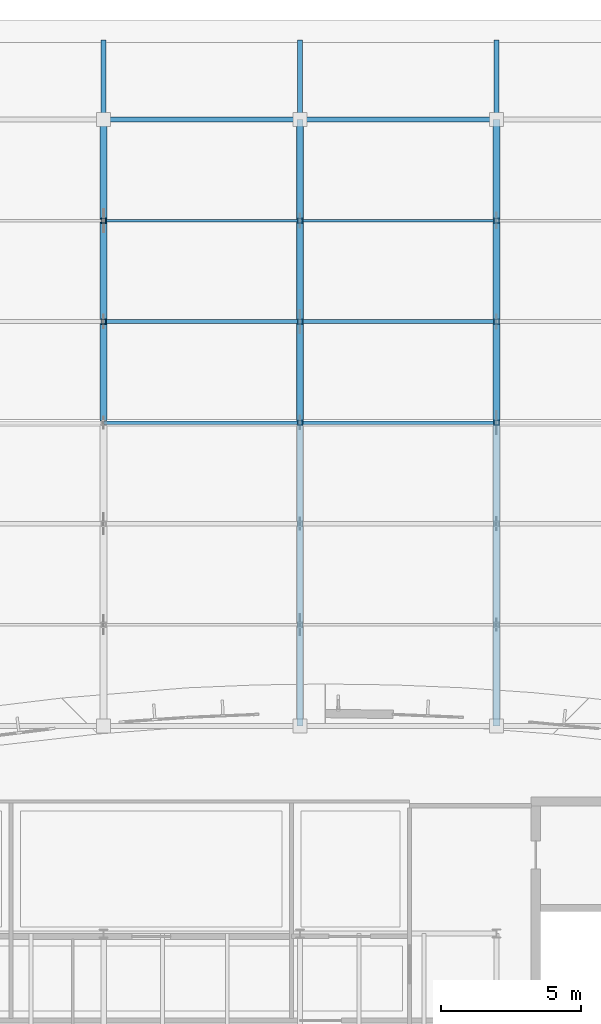
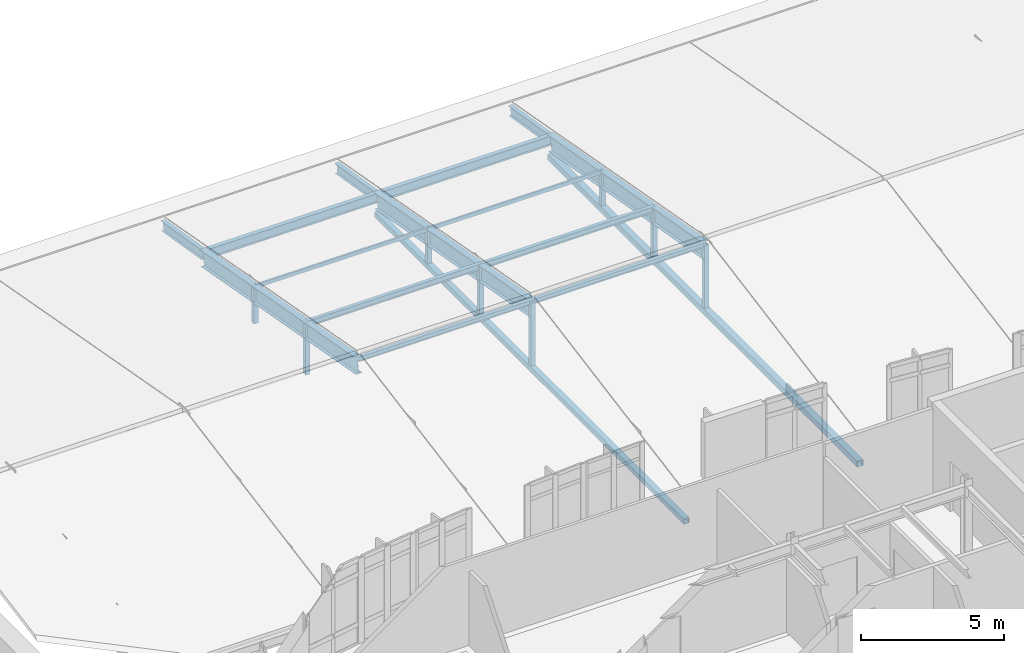
# One storey, part 38 of 105: 16 members, 8 beams.
"""IFC4 building model written with IfcOpenShell, lengths in metres."""

from ifc_helpers import new_model, si_unit, direction, frame, origin, origin_2d, place, context, subcontext, project, spatial, hollow_rectangle, i_section, extrude, material, material_profile, profile_set, type_object, element, save


model = new_model("IFC4")

# Units and contexts
model_context = context("Model", 3, precision=1e-05, world=origin(), true_north=direction((0.0, 1.0)))
body_context = subcontext(model_context, "Body", "Model", "MODEL_VIEW")
ifc_project = project(units=[si_unit("LENGTHUNIT", "METRE"), si_unit("AREAUNIT", "SQUARE_METRE"), si_unit("VOLUMEUNIT", "CUBIC_METRE"), si_unit("PLANEANGLEUNIT", "RADIAN"), si_unit("MASSUNIT", "GRAM", prefix="KILO")], contexts=[model_context])

# Site, building, storey
site_placement = place(None, origin())
site = spatial("IfcSite", under=ifc_project, at=site_placement, CompositionType="ELEMENT")
building_placement = place(site_placement, origin())
building = spatial("IfcBuilding", under=site, at=building_placement, Name="Corveleigh Park Community Centre", CompositionType="ELEMENT")
storey_placement = place(building_placement, frame((0.0, 0.0, 8.699951171875)))
storey = spatial("IfcBuildingStorey", under=building, at=storey_placement, Name="L02", CompositionType="ELEMENT", Elevation=8.699951171875)

# Beams
ifc_material = material(Name="Steel S355", Category="steel")
ifc_material_profile_1 = material_profile(ifc_material, i_section(OverallWidth=0.177978515625, OverallDepth=0.406494140625, WebThickness=0.0078125, FlangeThickness=0.0126953125, at=origin_2d()), Name="UKB 406x178x60", Category="steel")
ifc_profile_set_1 = profile_set([ifc_material_profile_1], Name="Steel S355")
beam_type_1 = type_object("IfcBeamType", Name="BM-STL-UKB406x60", PredefinedType="BEAM", material=ifc_profile_set_1)
for number, where, z_axis, x_axis, name in (
    (1, (25.205078125, 114.39990234375, 0.716796875), (1.0, 0.0, 0.0), (0.0, 1.0, 0.0), "V2 Eave Tie Beam"),
    (2, (32.205078125, 114.39990234375, 0.716796875), (1.0, 0.0, 0.0), (0.0, 1.0, 0.0), "V2 Eave Tie Beam"),
):
    element("IfcBeam", number, at=place(storey_placement, frame(where, z_axis=z_axis, x_axis=x_axis)), inside=storey, type_object=beam_type_1, Name=name, PredefinedType="BEAM", context=body_context, shape_type="SweptSolid", body=[
        extrude(i_section(OverallWidth=0.177978515625, OverallDepth=0.406494140625, WebThickness=0.0078125, FlangeThickness=0.0126953125, at=origin_2d()), origin(), (0.0, 0.0, 1.0), 6.989990234375),
    ])
ifc_material_profile_2 = material_profile(ifc_material, i_section(OverallWidth=0.1787109375, OverallDepth=0.409423828125, WebThickness=0.0087890625, FlangeThickness=0.014404296875, at=origin_2d()), Name="UKB 406x178x67", Category="steel")
ifc_profile_set_2 = profile_set([ifc_material_profile_2], Name="Steel S355")
beam_type_2 = type_object("IfcBeamType", Name="BM-STL-UKB406x67", PredefinedType="BEAM", material=ifc_profile_set_2)
for number, where, z_axis, x_axis, name in (
    (3, (25.199951171875, 114.409912109375, 0.7236328125), (0.0, 0.986431224699, -0.164175025322), (-1.0, 0.0, 0.0), "V2 North Sports Eave Outrigger 3"),
    (4, (32.199951171875, 114.409912109375, 0.7236328125), (0.0, 0.986431224699, -0.164175025322), (-1.0, 0.0, 0.0), "V2 North Sports Eave Outrigger 4"),
    (5, (39.199951171875, 114.409912109375, 0.7236328125), (0.0, 0.986431224699, -0.164175025322), (-1.0, 0.0, 0.0), "V2 North Sports Eave Outrigger 5"),
):
    element("IfcBeam", number, at=place(storey_placement, frame(where, z_axis=z_axis, x_axis=x_axis)), inside=storey, type_object=beam_type_2, Name=name, PredefinedType="BEAM", context=body_context, shape_type="SweptSolid", body=[
        extrude(i_section(OverallWidth=0.1787109375, OverallDepth=0.409423828125, WebThickness=0.0087890625, FlangeThickness=0.014404296875, at=origin_2d()), origin(), (0.0, 0.0, 1.0), 2.828369140625),
    ])
ifc_material_profile_3 = material_profile(ifc_material, i_section(OverallWidth=0.25439453125, OverallDepth=0.6875, WebThickness=0.01318359375, FlangeThickness=0.02099609375, at=origin_2d()), Name="UKB 686x254x152", Category="steel")
ifc_profile_set_3 = profile_set([ifc_material_profile_3], Name="Steel S355")
beam_type_3 = type_object("IfcBeamType", Name="BM-STL-UKB686x152", PredefinedType="BEAM", material=ifc_profile_set_3)
for number, where, z_axis, x_axis, name in (
    (6, (25.199951171875, 103.60009765625, 2.54833984375), (0.0, 0.984084187124, -0.177702877447), (-1.0, 0.0, 0.0), "V2 Portal Rafter N3"),
    (7, (32.199951171875, 103.60009765625, 2.54833984375), (0.0, 0.984084187124, -0.177702877447), (-1.0, 0.0, 0.0), "V2 Portal Rafter N4"),
    (8, (39.199951171875, 103.60009765625, 2.54833984375), (0.0, 0.984084187124, -0.177702877447), (-1.0, 0.0, 0.0), "V2 Portal Rafter N5"),
):
    element("IfcBeam", number, at=place(storey_placement, frame(where, z_axis=z_axis, x_axis=x_axis)), inside=storey, type_object=beam_type_3, Name=name, PredefinedType="BEAM", context=body_context, shape_type="SweptSolid", body=[
        extrude(i_section(OverallWidth=0.25439453125, OverallDepth=0.6875, WebThickness=0.01318359375, FlangeThickness=0.02099609375, at=origin_2d()), origin(), (0.0, 0.0, 1.0), 10.974365234375),
    ])

# Members
ifc_material_profile_4 = material_profile(ifc_material, hollow_rectangle(XDim=0.219970703125, YDim=0.219970703125, WallThickness=0.012451171875, at=origin_2d()), Name="SHS 220x220x12.5", Category="steel")
ifc_profile_set_4 = profile_set([ifc_material_profile_4], Name="Steel S355")
member_type_1 = type_object("IfcMemberType", Name="MEM-CHD-SHS220", PredefinedType="CHORD", material=ifc_profile_set_4)
member_1_placement = place(storey_placement, frame((32.199951171875, 92.800048828125, 0.0), z_axis=(0.0, 1.0, 0.0), x_axis=(-1.0, 0.0, 0.0)))
element("IfcMember", 9, at=member_1_placement, inside=storey, type_object=member_type_1, Name="V2 Truss 4 Bottom Tie", PredefinedType="CHORD", context=body_context, shape_type="SweptSolid", body=[
    extrude(hollow_rectangle(XDim=0.219970703125, YDim=0.219970703125, WallThickness=0.012451171875, at=origin_2d()), origin(), (0.0, 0.0, 1.0), 21.599853515625),
])
ifc_material_profile_5 = material_profile(ifc_material, hollow_rectangle(XDim=0.25, YDim=0.25, WallThickness=0.012451171875, at=origin_2d()), Name="SHS 250x250x12.5", Category="steel")
ifc_profile_set_5 = profile_set([ifc_material_profile_5], Name="Steel S355")
member_type_2 = type_object("IfcMemberType", Name="MEM-CHD-SHS250", PredefinedType="CHORD", material=ifc_profile_set_5)
member_2_placement = place(storey_placement, frame((39.199951171875, 92.800048828125, 0.0), z_axis=(0.0, 1.0, 0.0), x_axis=(-1.0, 0.0, 0.0)))
element("IfcMember", 10, at=member_2_placement, inside=storey, type_object=member_type_2, Name="V2 Truss 5 Bottom Tie", PredefinedType="CHORD", context=body_context, shape_type="SweptSolid", body=[
    extrude(hollow_rectangle(XDim=0.25, YDim=0.25, WallThickness=0.012451171875, at=origin_2d()), origin(), (0.0, 0.0, 1.0), 21.599853515625),
])
ifc_material_profile_6 = material_profile(ifc_material, hollow_rectangle(XDim=0.080078125, YDim=0.159912109375, WallThickness=0.008056640625, at=origin_2d()), Name="RHS 160x80x8.0", Category="steel")
ifc_profile_set_6 = profile_set([ifc_material_profile_6], Name="Steel S355")
member_type_3 = type_object("IfcMemberType", Name="MEM-PRL-RHS160", PredefinedType="PURLIN", material=ifc_profile_set_6)
for number, where, z_axis, x_axis, name in (
    (11, (25.199951171875, 110.800048828125, 1.53515625), (1.0, 0.0, 0.0), (0.0, 1.0, 0.0), "V2 Hall Roof Purlin"),
    (12, (32.199951171875, 110.800048828125, 1.53515625), (1.0, 0.0, 0.0), (0.0, 1.0, 0.0), "V2 Hall Roof Purlin"),
):
    element("IfcMember", number, at=place(storey_placement, frame(where, z_axis=z_axis, x_axis=x_axis)), inside=storey, type_object=member_type_3, Name=name, PredefinedType="PURLIN", context=body_context, shape_type="SweptSolid", body=[
        extrude(hollow_rectangle(XDim=0.080078125, YDim=0.159912109375, WallThickness=0.008056640625, at=origin_2d()), origin(), (0.0, 0.0, 1.0), 7.0),
    ])
ifc_material_profile_7 = material_profile(ifc_material, i_section(OverallWidth=0.13330078125, OverallDepth=0.203125, WebThickness=0.005615234375, FlangeThickness=0.0078125, at=origin_2d()), Name="UKB 203x133x25", Category="steel")
ifc_profile_set_7 = profile_set([ifc_material_profile_7], Name="Steel S355")
member_type_4 = type_object("IfcMemberType", Name="MEM-PRL-UKB203", PredefinedType="PURLIN", material=ifc_profile_set_7)
for number, where, z_axis, x_axis, name in (
    (13, (25.199951171875, 103.60009765625, 2.8134765625), (1.0, 0.0, 0.0), (0.0, 1.0, 0.0), "V2 Hall Roof Purlin"),
    (14, (32.199951171875, 103.60009765625, 2.8134765625), (1.0, 0.0, 0.0), (0.0, 1.0, 0.0), "V2 Hall Roof Purlin"),
):
    element("IfcMember", number, at=place(storey_placement, frame(where, z_axis=z_axis, x_axis=x_axis)), inside=storey, type_object=member_type_4, Name=name, PredefinedType="PURLIN", context=body_context, shape_type="SweptSolid", body=[
        extrude(i_section(OverallWidth=0.13330078125, OverallDepth=0.203125, WebThickness=0.005615234375, FlangeThickness=0.0078125, at=origin_2d()), origin(), (0.0, 0.0, 1.0), 7.0),
    ])
ifc_material_profile_8 = material_profile(ifc_material, i_section(OverallWidth=0.14599609375, OverallDepth=0.25146484375, WebThickness=0.006103515625, FlangeThickness=0.008544921875, at=origin_2d()), Name="UKB 254x146x31", Category="steel")
ifc_profile_set_8 = profile_set([ifc_material_profile_8], Name="Steel S355")
member_type_5 = type_object("IfcMemberType", Name="MEM-PRL-UKB254", PredefinedType="PURLIN", material=ifc_profile_set_8)
for number, where, z_axis, x_axis, name in (
    (15, (25.199951171875, 107.199951171875, 2.139404296875), (1.0, 0.0, 0.0), (0.0, 1.0, 0.0), "V2 Hall Roof Purlin"),
    (16, (32.199951171875, 107.199951171875, 2.139404296875), (1.0, 0.0, 0.0), (0.0, 1.0, 0.0), "V2 Hall Roof Purlin"),
):
    element("IfcMember", number, at=place(storey_placement, frame(where, z_axis=z_axis, x_axis=x_axis)), inside=storey, type_object=member_type_5, Name=name, PredefinedType="PURLIN", context=body_context, shape_type="SweptSolid", body=[
        extrude(i_section(OverallWidth=0.14599609375, OverallDepth=0.25146484375, WebThickness=0.006103515625, FlangeThickness=0.008544921875, at=origin_2d()), origin(), (0.0, 0.0, 1.0), 7.0),
    ])
ifc_material_profile_9 = material_profile(ifc_material, hollow_rectangle(XDim=0.179931640625, YDim=0.179931640625, WallThickness=0.010009765625, at=origin_2d()), Name="SHS 180x180x10.0", Category="steel")
ifc_profile_set_9 = profile_set([ifc_material_profile_9], Name="Steel S355")
member_type_6 = type_object("IfcMemberType", Name="MEM-STR-SHS180I", PredefinedType="STRUT", material=ifc_profile_set_9)
member_3_placement = place(storey_placement, frame((25.199951171875, 107.199951171875, 0.0), z_axis=(0.0, 0.0, 1.0), x_axis=(1.0, 0.0, 0.0)))
element("IfcMember", 17, at=member_3_placement, inside=storey, type_object=member_type_6, Name="V2 Truss 3 Hanger Post", PredefinedType="STRUT", context=body_context, shape_type="SweptSolid", body=[
    extrude(hollow_rectangle(XDim=0.179931640625, YDim=0.179931640625, WallThickness=0.010009765625, at=origin_2d()), origin(), (0.0, 0.0, 1.0), 2.150146484375),
])
member_4_placement = place(storey_placement, frame((25.199951171875, 110.800048828125, 0.0), z_axis=(0.0, 0.0, 1.0), x_axis=(1.0, 0.0, 0.0)))
element("IfcMember", 18, at=member_4_placement, inside=storey, type_object=member_type_6, Name="V2 Truss 3 Hanger Post", PredefinedType="STRUT", context=body_context, shape_type="SweptSolid", body=[
    extrude(hollow_rectangle(XDim=0.179931640625, YDim=0.179931640625, WallThickness=0.010009765625, at=origin_2d()), origin(), (0.0, 0.0, 1.0), 1.5),
])
member_5_placement = place(storey_placement, frame((32.199951171875, 103.60009765625, 0.0), z_axis=(0.0, 0.0, 1.0), x_axis=(1.0, 0.0, 0.0)))
element("IfcMember", 19, at=member_5_placement, inside=storey, type_object=member_type_6, Name="V2 Truss 4 Hanger Post", PredefinedType="STRUT", context=body_context, shape_type="SweptSolid", body=[
    extrude(hollow_rectangle(XDim=0.179931640625, YDim=0.179931640625, WallThickness=0.010009765625, at=origin_2d()), origin(), (0.0, 0.0, 1.0), 2.800048828125),
])
member_6_placement = place(storey_placement, frame((32.199951171875, 107.199951171875, 0.0), z_axis=(0.0, 0.0, 1.0), x_axis=(1.0, 0.0, 0.0)))
element("IfcMember", 20, at=member_6_placement, inside=storey, type_object=member_type_6, Name="V2 Truss 4 Hanger Post", PredefinedType="STRUT", context=body_context, shape_type="SweptSolid", body=[
    extrude(hollow_rectangle(XDim=0.179931640625, YDim=0.179931640625, WallThickness=0.010009765625, at=origin_2d()), origin(), (0.0, 0.0, 1.0), 2.150146484375),
])
member_7_placement = place(storey_placement, frame((32.199951171875, 110.800048828125, 0.0), z_axis=(0.0, 0.0, 1.0), x_axis=(1.0, 0.0, 0.0)))
element("IfcMember", 21, at=member_7_placement, inside=storey, type_object=member_type_6, Name="V2 Truss 4 Hanger Post", PredefinedType="STRUT", context=body_context, shape_type="SweptSolid", body=[
    extrude(hollow_rectangle(XDim=0.179931640625, YDim=0.179931640625, WallThickness=0.010009765625, at=origin_2d()), origin(), (0.0, 0.0, 1.0), 1.5),
])
member_8_placement = place(storey_placement, frame((39.199951171875, 103.60009765625, 0.0), z_axis=(0.0, 0.0, 1.0), x_axis=(1.0, 0.0, 0.0)))
element("IfcMember", 22, at=member_8_placement, inside=storey, type_object=member_type_6, Name="V2 Truss 5 Hanger Post", PredefinedType="STRUT", context=body_context, shape_type="SweptSolid", body=[
    extrude(hollow_rectangle(XDim=0.179931640625, YDim=0.179931640625, WallThickness=0.010009765625, at=origin_2d()), origin(), (0.0, 0.0, 1.0), 2.800048828125),
])
member_9_placement = place(storey_placement, frame((39.199951171875, 107.199951171875, 0.0), z_axis=(0.0, 0.0, 1.0), x_axis=(1.0, 0.0, 0.0)))
element("IfcMember", 23, at=member_9_placement, inside=storey, type_object=member_type_6, Name="V2 Truss 5 Hanger Post", PredefinedType="STRUT", context=body_context, shape_type="SweptSolid", body=[
    extrude(hollow_rectangle(XDim=0.179931640625, YDim=0.179931640625, WallThickness=0.010009765625, at=origin_2d()), origin(), (0.0, 0.0, 1.0), 2.150146484375),
])
member_10_placement = place(storey_placement, frame((39.199951171875, 110.800048828125, 0.0), z_axis=(0.0, 0.0, 1.0), x_axis=(1.0, 0.0, 0.0)))
element("IfcMember", 24, at=member_10_placement, inside=storey, type_object=member_type_6, Name="V2 Truss 5 Hanger Post", PredefinedType="STRUT", context=body_context, shape_type="SweptSolid", body=[
    extrude(hollow_rectangle(XDim=0.179931640625, YDim=0.179931640625, WallThickness=0.010009765625, at=origin_2d()), origin(), (0.0, 0.0, 1.0), 1.5),
])

save(model, "model.ifc")
